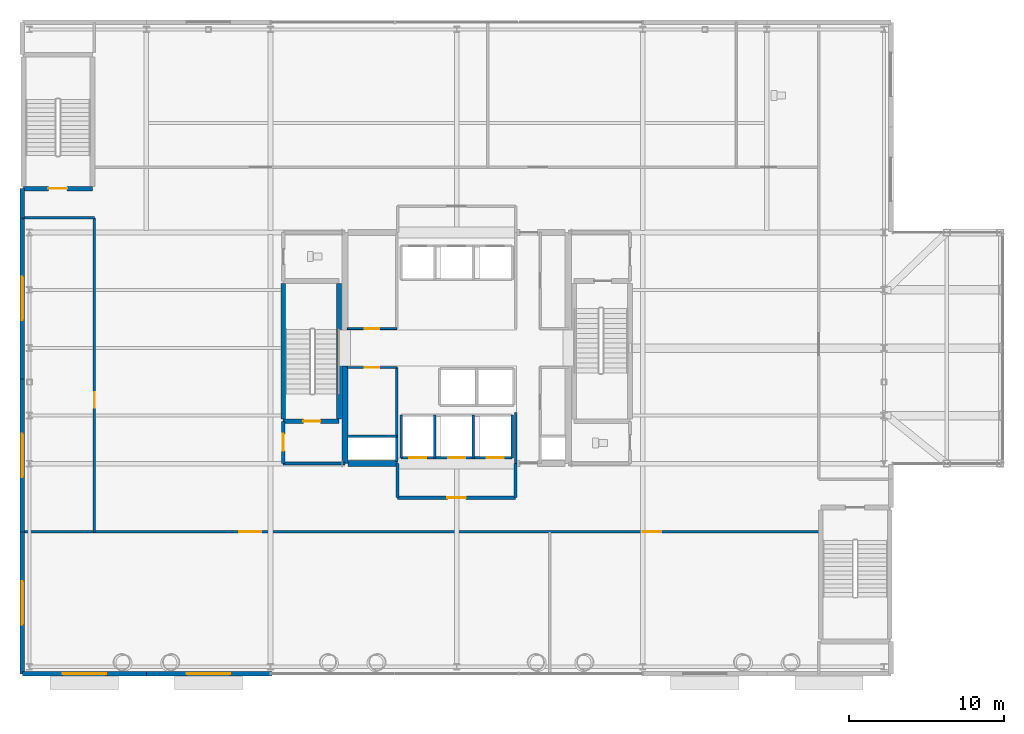
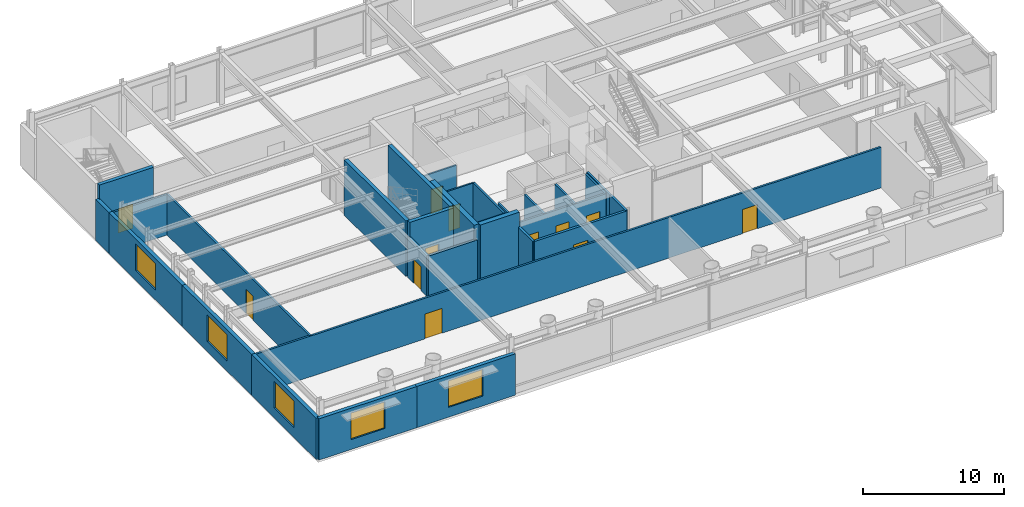
# One storey, part 19 of 26: 30 walls, 12 doors, 5 windows, 17 openings.
"""IFC4 building model written with IfcOpenShell, lengths in metres."""

import ifcopenshell
import ifcopenshell.guid

model = None  # the IFC model being written
_history = None  # IfcOwnerHistory: only IFC2X3 demands one
_inside = {}  # id of a spatial element -> (the spatial element, [elements in it])
_under = {}  # id of a project, library or spatial element -> (it, [spatial elements below it])
_declared = {}  # id of a project -> (the project, [libraries it declares])
_typed = {}  # id of a type object -> (the type object, [elements of that type])
_made_of = {}  # id of a material, layer set ... -> (it, [elements and type objects made of it])


def new_model(schema):
    """Start an empty IFC model of exactly this schema.

    Asked for "IFC4X3", IfcOpenShell would pick the latest addendum, in which some entities
    have other attributes; the version numbers below select the first issue.
    IFC2X3 requires an IfcOwnerHistory on every rooted entity: one is made here for all.
    """
    global model, _history
    if schema == "IFC4X3":
        model = ifcopenshell.file(schema_version=(4, 3, 0, 0))
    else:
        model = ifcopenshell.file(schema=schema)
    _inside.clear()
    _under.clear()
    _declared.clear()
    _typed.clear()
    _made_of.clear()
    _history = None
    if model.schema == "IFC2X3":
        org = make("IfcOrganization", Name="unknown")
        user = make(
            "IfcPersonAndOrganization",
            ThePerson=make("IfcPerson", FamilyName="unknown"),
            TheOrganization=org,
        )
        app = make(
            "IfcApplication",
            ApplicationDeveloper=org,
            Version="unknown",
            ApplicationFullName="unknown",
            ApplicationIdentifier="unknown",
        )
        _history = make(
            "IfcOwnerHistory",
            OwningUser=user,
            OwningApplication=app,
            ChangeAction="ADDED",
            CreationDate=0,
        )
    return model


def make(cls, **values):
    """One entity of the class cls with the attributes given. An attribute that is None is left unset."""
    return model.create_entity(
        cls, **{name: value for name, value in values.items() if value is not None}
    )


def rooted(cls, **values):
    """An entity with a GlobalId (a new one), such as an element, a storey or a relation."""
    return make(cls, GlobalId=ifcopenshell.guid.new(), OwnerHistory=_history, **values)


def si_unit(unit_type, name, prefix=None):
    """IfcSIUnit, for example si_unit("LENGTHUNIT", "METRE", prefix="MILLI")."""
    return make("IfcSIUnit", UnitType=unit_type, Prefix=prefix, Name=name)


def assignment(units):
    """IfcUnitAssignment: the units of a project."""
    return None if units is None else make("IfcUnitAssignment", Units=units)


def point(xyz):
    """IfcCartesianPoint."""
    return None if xyz is None else make("IfcCartesianPoint", Coordinates=xyz)


def direction(xyz):
    """IfcDirection."""
    return None if xyz is None else make("IfcDirection", DirectionRatios=xyz)


def frame(location, z_axis=None, x_axis=None):
    """IfcAxis2Placement3D, a coordinate frame: its origin and axes. An axis left out is left unset."""
    return make(
        "IfcAxis2Placement3D",
        Location=point(location),
        Axis=direction(z_axis),
        RefDirection=direction(x_axis),
    )


def frame_2d(location, x_axis=None):
    """IfcAxis2Placement2D, a coordinate frame in the plane: its origin and x axis."""
    return make(
        "IfcAxis2Placement2D", Location=point(location), RefDirection=direction(x_axis)
    )


def origin():
    """The frame at (0, 0, 0) with its axes left unset."""
    return frame((0.0, 0.0, 0.0))


def place(relative_to, where):
    """IfcLocalPlacement: puts the frame where relative to a parent placement (None: the world)."""
    return make(
        "IfcLocalPlacement", PlacementRelTo=relative_to, RelativePlacement=where
    )


def context(
    kind, dimensions, precision=None, world=None, true_north=None, identifier=None
):
    """IfcGeometricRepresentationContext, for example the 3D "Model" context."""
    return make(
        "IfcGeometricRepresentationContext",
        ContextIdentifier=identifier,
        ContextType=kind,
        CoordinateSpaceDimension=dimensions,
        Precision=precision,
        WorldCoordinateSystem=world,
        TrueNorth=true_north,
    )


def subcontext(parent, identifier, kind, view, scale=None):
    """IfcGeometricRepresentationSubContext, for example "Body" below "Model"."""
    return make(
        "IfcGeometricRepresentationSubContext",
        ContextIdentifier=identifier,
        ContextType=kind,
        ParentContext=parent,
        TargetScale=scale,
        TargetView=view,
    )


def project(units=None, contexts=None):
    """IfcProject with its units and contexts."""
    return rooted(
        "IfcProject",
        Name="project",
        RepresentationContexts=contexts,
        UnitsInContext=assignment(units),
    )


def spatial(cls, under=None, at=None, **own):
    """A site, building, storey or space (cls), placed at a placement, below another one or the project."""
    s = rooted(cls, ObjectPlacement=at, **own)
    if under is not None:
        _under.setdefault(under.id(), (under, []))[1].append(s)
    return s


def profile(cls, at=None, kind="AREA", **sizes):
    """A parametric profile (cls). Its sizes go by their IFC names, for example OverallWidth=200.0."""
    return make(cls, ProfileType=kind, Position=at, **sizes)


def rectangle(**sizes):
    """IfcRectangleProfileDef."""
    return profile("IfcRectangleProfileDef", **sizes)


def extrude(swept, where, along, depth):
    """IfcExtrudedAreaSolid: the profile swept, set in the frame where, extruded along a direction by depth."""
    return make(
        "IfcExtrudedAreaSolid",
        SweptArea=swept,
        Position=where,
        ExtrudedDirection=direction(along),
        Depth=depth,
    )


def shape(context_of_items, identifier, shape_type, items):
    """IfcShapeRepresentation: the items that make up one representation, for example the "Body"."""
    return make(
        "IfcShapeRepresentation",
        ContextOfItems=context_of_items,
        RepresentationIdentifier=identifier,
        RepresentationType=shape_type,
        Items=items,
    )


def material(Name=None, Category=None):
    """IfcMaterial."""
    return make("IfcMaterial", Name=Name, Category=Category)


def layer(
    of_material, thickness, ventilated=None, Name=None, Category=None, Priority=None
):
    """IfcMaterialLayer: one layer of a wall or slab, of a material (None: an air gap)."""
    return make(
        "IfcMaterialLayer",
        Material=of_material,
        LayerThickness=thickness,
        IsVentilated=ventilated,
        Name=Name,
        Category=Category,
        Priority=Priority,
    )


def layer_set(layers, Name=None):
    """IfcMaterialLayerSet."""
    return make("IfcMaterialLayerSet", MaterialLayers=layers, LayerSetName=Name)


def made_of(thing, what):
    """Note that an element or type object is made of a material, layer set ...; save() writes the relation."""
    if what is not None:
        _made_of.setdefault(what.id(), (what, []))[1].append(thing)
    return thing


def type_object(cls, material=None, **own):
    """A type object (cls), such as IfcWallType, which elements share."""
    return made_of(rooted(cls, **own), material)


def element(
    cls,
    number,
    at=None,
    inside=None,
    cuts=None,
    type_object=None,
    material=None,
    context=None,
    identifier="Body",
    shape_type=None,
    held_by="IfcProductDefinitionShape",
    body=None,
    shapes=None,
    **own,
):
    """One element of the class cls, such as IfcWall. Its Tag is "e" and its number.

    at: its placement. inside: the storey or other place that contains it. cuts: it is an
    opening in that element (IfcRelVoidsElement). A single representation is given by context,
    identifier, shape_type and body (its items); several are given by shapes. held_by: the class
    of the entity that holds the representations. save() writes the other relations.
    """
    e = rooted(cls, Tag="e%d" % number, ObjectPlacement=at, **own)
    if body is not None:
        shapes = [shape(context, identifier, shape_type, body)]
    if shapes is not None:
        e.Representation = make(held_by, Representations=shapes)
    if inside is not None:
        _inside.setdefault(inside.id(), (inside, []))[1].append(e)
    if cuts is not None:
        rooted(
            "IfcRelVoidsElement", RelatingBuildingElement=cuts, RelatedOpeningElement=e
        )
    if type_object is not None:
        _typed.setdefault(type_object.id(), (type_object, []))[1].append(e)
    return made_of(e, material)


def fill(opening, filler):
    """IfcRelFillsElement: the door or window that sits in an opening."""
    return rooted(
        "IfcRelFillsElement",
        RelatingOpeningElement=opening,
        RelatedBuildingElement=filler,
    )


def aggregate(whole, parts):
    """IfcRelAggregates: a whole, such as a stair, and the parts it consists of."""
    return rooted("IfcRelAggregates", RelatingObject=whole, RelatedObjects=parts)


def save(model, path):
    """Write the relations noted so far, then the file.

    IfcRelAggregates (storeys below a building ...), IfcRelContainedInSpatialStructure (elements
    in a storey), IfcRelDefinesByType, IfcRelAssociatesMaterial and IfcRelDeclares: one each for
    every whole, place, type object, material and project.
    """
    for whole, parts in _under.values():
        aggregate(whole, parts)
    for where, things in _inside.values():
        rooted(
            "IfcRelContainedInSpatialStructure",
            RelatedElements=things,
            RelatingStructure=where,
        )
    for kind, things in _typed.values():
        rooted("IfcRelDefinesByType", RelatedObjects=things, RelatingType=kind)
    for what, things in _made_of.values():
        rooted("IfcRelAssociatesMaterial", RelatedObjects=things, RelatingMaterial=what)
    for by, libraries in _declared.values():
        rooted("IfcRelDeclares", RelatingContext=by, RelatedDefinitions=libraries)
    model.write(path)


model = new_model("IFC4")

# Units and contexts
model_context = context("Model", 3, precision=1e-05, world=origin(), true_north=direction((0.0, 1.0)))
body_context = subcontext(model_context, "Body", "Model", "MODEL_VIEW")
ifc_project = project(units=[si_unit("LENGTHUNIT", "METRE"), si_unit("AREAUNIT", "SQUARE_METRE"), si_unit("VOLUMEUNIT", "CUBIC_METRE"), si_unit("PLANEANGLEUNIT", "RADIAN"), si_unit("MASSUNIT", "GRAM", prefix="KILO")], contexts=[model_context])

# Site, building, storey
site_placement = place(None, origin())
site = spatial("IfcSite", under=ifc_project, at=site_placement, CompositionType="ELEMENT")
building_placement = place(site_placement, origin())
building = spatial("IfcBuilding", under=site, at=building_placement, Name="Veldorina Hangang Commons", CompositionType="ELEMENT")
storey_placement = place(building_placement, frame((0.0, 0.0, 5.199951171875)))
storey = spatial("IfcBuildingStorey", under=building, at=storey_placement, Name="L01", CompositionType="ELEMENT", Elevation=5.199951171875)

# Walls
ifc_material_1 = material(Name="Concrete C70/85", Category="concrete")
ifc_layer_1 = layer(ifc_material_1, 0.39990234375)
ifc_layer_set_1 = layer_set([ifc_layer_1], Name="Concrete C70/85")
wall_type_1 = type_object("IfcWallType", Name="CW-RC400-C70", PredefinedType="SHEAR", material=ifc_layer_set_1)
wall_1_placement = place(storey_placement, frame((24.800048828125, 16.550048828125, 0.0), z_axis=(0.0, 0.0, 1.0), x_axis=(0.0, 1.0, 0.0)))
element("IfcWall", 1, at=wall_1_placement, inside=storey, type_object=wall_type_1, Name="L01 W south core shear wall", PredefinedType="SHEAR", context=body_context, shape_type="SweptSolid", body=[
    extrude(rectangle(XDim=6.300048828125, YDim=0.39990234375, at=frame_2d((3.14990234375, 0.0))), origin(), (0.0, 0.0, 1.0), 4.800048828125),
])
wall_2_placement = place(storey_placement, frame((25.0, 16.550048828125, 0.0), z_axis=(0.0, 0.0, 1.0), x_axis=(1.0, 0.0, 0.0)))
element("IfcWall", 2, at=wall_2_placement, inside=storey, type_object=wall_type_1, Name="L01 south-west core shear wall", PredefinedType="SHEAR", context=body_context, shape_type="SweptSolid", body=[
    extrude(rectangle(XDim=3.199951171875, YDim=0.39990234375, at=frame_2d((1.60009765625, 0.0))), origin(), (0.0, 0.0, 1.0), 4.800048828125),
])

# Wall, opening, window
ifc_material_2 = material(Name="Stone Roman Travertine", Category="masonry")
ifc_layer_2 = layer(ifc_material_2, 0.300048828125)
ifc_layer_set_2 = layer_set([ifc_layer_2], Name="Stone Roman Travertine")
wall_type_2 = type_object("IfcWallType", Name="EW-TRAV-300", PredefinedType="STANDARD", material=ifc_layer_set_2)
wall_3_placement = place(storey_placement, frame((4.0, 3.0, 0.0), z_axis=(0.0, 0.0, 1.0), x_axis=(1.0, 0.0, 0.0)))
wall_3 = element("IfcWall", 3, at=wall_3_placement, inside=storey, type_object=wall_type_2, Name="L01 south podium stone wall S1", PredefinedType="STANDARD", context=body_context, shape_type="SweptSolid", body=[
    extrude(rectangle(XDim=8.0, YDim=0.300048828125, at=frame_2d((4.0, 0.0))), origin(), (0.0, 0.0, 1.0), 3.570068359375),
])
opening_1_placement = place(wall_3_placement, frame((2.60009765625, 0.0, 0.85009765625)))
opening_1 = element("IfcOpeningElement", 4, at=opening_1_placement, cuts=wall_3, Name="Opening W-06", PredefinedType="OPENING", context=body_context, shape_type="SweptSolid", body=[
    extrude(rectangle(XDim=2.800048828125, YDim=2.300048828125, at=frame_2d((1.39990234375, 1.14990234375))), frame((0.0, 0.16015625, 0.0), z_axis=(0.0, -1.0, 0.0), x_axis=(1.0, 0.0, 0.0)), (0.0, 0.0, 1.0), 0.320068359375),
])
ifc_material_3 = material(Name="Glass Acoustic Laminated", Category="glass")
window_type = type_object("IfcWindowType", Name="WIN-POD-2800", PartitioningType="SINGLE_PANEL", PredefinedType="WINDOW", material=ifc_material_3)
window_1_placement = place(opening_1_placement, origin())
window_1 = element("IfcWindow", 5, at=window_1_placement, inside=storey, type_object=window_type, Name="L01 south podium window S1", OverallHeight=2.300048828125, OverallWidth=2.800048828125, PartitioningType="SINGLE_PANEL", PredefinedType="WINDOW", context=body_context, shape_type="SweptSolid", body=[
    extrude(rectangle(XDim=2.800048828125, YDim=2.300048828125, at=frame_2d((1.39990234375, 1.14990234375))), frame((0.0, 0.030029296875, 0.0), z_axis=(0.0, -1.0, 0.0), x_axis=(1.0, 0.0, 0.0)), (0.0, 0.0, 1.0), 0.06005859375),
])
fill(opening_1, window_1)

wall_4_placement = place(storey_placement, frame((12.0, 3.0, 0.0), z_axis=(0.0, 0.0, 1.0), x_axis=(1.0, 0.0, 0.0)))
wall_4 = element("IfcWall", 6, at=wall_4_placement, inside=storey, type_object=wall_type_2, Name="L01 south podium stone wall S2", PredefinedType="STANDARD", context=body_context, shape_type="SweptSolid", body=[
    extrude(rectangle(XDim=8.094970703125, YDim=0.300048828125, at=frame_2d((4.04736328125, 0.0))), origin(), (0.0, 0.0, 1.0), 3.570068359375),
])
opening_2_placement = place(wall_4_placement, frame((2.60009765625, 0.0, 0.85009765625)))
opening_2 = element("IfcOpeningElement", 7, at=opening_2_placement, cuts=wall_4, Name="Opening W-06", PredefinedType="OPENING", context=body_context, shape_type="SweptSolid", body=[
    extrude(rectangle(XDim=2.800048828125, YDim=2.300048828125, at=frame_2d((1.39990234375, 1.14990234375))), frame((0.0, 0.16015625, 0.0), z_axis=(0.0, -1.0, 0.0), x_axis=(1.0, 0.0, 0.0)), (0.0, 0.0, 1.0), 0.320068359375),
])
window_2_placement = place(opening_2_placement, origin())
window_2 = element("IfcWindow", 8, at=window_2_placement, inside=storey, type_object=window_type, Name="L01 south podium window S2", OverallHeight=2.300048828125, OverallWidth=2.800048828125, PartitioningType="SINGLE_PANEL", PredefinedType="WINDOW", context=body_context, shape_type="SweptSolid", body=[
    extrude(rectangle(XDim=2.800048828125, YDim=2.300048828125, at=frame_2d((1.39990234375, 1.14990234375))), frame((0.0, 0.030029296875, 0.0), z_axis=(0.0, -1.0, 0.0), x_axis=(1.0, 0.0, 0.0)), (0.0, 0.0, 1.0), 0.06005859375),
])
fill(opening_2, window_2)

wall_5_placement = place(storey_placement, frame((4.0, 12.14990234375, 0.0), z_axis=(0.0, 0.0, 1.0), x_axis=(0.0, -1.0, 0.0)))
wall_5 = element("IfcWall", 9, at=wall_5_placement, inside=storey, type_object=wall_type_2, Name="L01 west podium stone wall W1", PredefinedType="STANDARD", context=body_context, shape_type="SweptSolid", body=[
    extrude(rectangle(XDim=9.14990234375, YDim=0.300048828125, at=frame_2d((4.574951171875, 0.0))), origin(), (0.0, 0.0, 1.0), 3.570068359375),
])
opening_3_placement = place(wall_5_placement, frame((3.175048828125, 0.0, 0.85009765625)))
opening_3 = element("IfcOpeningElement", 10, at=opening_3_placement, cuts=wall_5, Name="Opening W-06", PredefinedType="OPENING", context=body_context, shape_type="SweptSolid", body=[
    extrude(rectangle(XDim=2.800048828125, YDim=2.300048828125, at=frame_2d((1.39990234375, 1.14990234375))), frame((0.0, 0.16015625, 0.0), z_axis=(0.0, -1.0, 0.0), x_axis=(1.0, 0.0, 0.0)), (0.0, 0.0, 1.0), 0.320068359375),
])
window_3_placement = place(opening_3_placement, origin())
window_3 = element("IfcWindow", 11, at=window_3_placement, inside=storey, type_object=window_type, Name="L01 west podium window W1", OverallHeight=2.300048828125, OverallWidth=2.800048828125, PartitioningType="SINGLE_PANEL", PredefinedType="WINDOW", context=body_context, shape_type="SweptSolid", body=[
    extrude(rectangle(XDim=2.800048828125, YDim=2.300048828125, at=frame_2d((1.39990234375, 1.14990234375))), frame((0.0, 0.030029296875, 0.0), z_axis=(0.0, -1.0, 0.0), x_axis=(1.0, 0.0, 0.0)), (0.0, 0.0, 1.0), 0.06005859375),
])
fill(opening_3, window_3)

wall_6_placement = place(storey_placement, frame((4.0, 22.0, 0.0), z_axis=(0.0, 0.0, 1.0), x_axis=(0.0, -1.0, 0.0)))
wall_6 = element("IfcWall", 12, at=wall_6_placement, inside=storey, type_object=wall_type_2, Name="L01 west podium stone wall W2", PredefinedType="STANDARD", context=body_context, shape_type="SweptSolid", body=[
    extrude(rectangle(XDim=9.85009765625, YDim=0.300048828125, at=frame_2d((4.925048828125, 0.0))), origin(), (0.0, 0.0, 1.0), 3.570068359375),
])
opening_4_placement = place(wall_6_placement, frame((3.52490234375, 0.0, 0.85009765625)))
opening_4 = element("IfcOpeningElement", 13, at=opening_4_placement, cuts=wall_6, Name="Opening W-06", PredefinedType="OPENING", context=body_context, shape_type="SweptSolid", body=[
    extrude(rectangle(XDim=2.800048828125, YDim=2.300048828125, at=frame_2d((1.39990234375, 1.14990234375))), frame((0.0, 0.16015625, 0.0), z_axis=(0.0, -1.0, 0.0), x_axis=(1.0, 0.0, 0.0)), (0.0, 0.0, 1.0), 0.320068359375),
])
window_4_placement = place(opening_4_placement, origin())
window_4 = element("IfcWindow", 14, at=window_4_placement, inside=storey, type_object=window_type, Name="L01 west podium window W2", OverallHeight=2.300048828125, OverallWidth=2.800048828125, PartitioningType="SINGLE_PANEL", PredefinedType="WINDOW", context=body_context, shape_type="SweptSolid", body=[
    extrude(rectangle(XDim=2.800048828125, YDim=2.300048828125, at=frame_2d((1.39990234375, 1.14990234375))), frame((0.0, 0.030029296875, 0.0), z_axis=(0.0, -1.0, 0.0), x_axis=(1.0, 0.0, 0.0)), (0.0, 0.0, 1.0), 0.06005859375),
])
fill(opening_4, window_4)

wall_7_placement = place(storey_placement, frame((4.0, 32.39990234375, 0.0), z_axis=(0.0, 0.0, 1.0), x_axis=(0.0, -1.0, 0.0)))
wall_7 = element("IfcWall", 15, at=wall_7_placement, inside=storey, type_object=wall_type_2, Name="L01 west podium stone wall W3", PredefinedType="STANDARD", context=body_context, shape_type="SweptSolid", body=[
    extrude(rectangle(XDim=10.39990234375, YDim=0.300048828125, at=frame_2d((5.199951171875, 0.0))), origin(), (0.0, 0.0, 1.0), 3.570068359375),
])
opening_5_placement = place(wall_7_placement, frame((3.800048828125, 0.0, 0.85009765625)))
opening_5 = element("IfcOpeningElement", 16, at=opening_5_placement, cuts=wall_7, Name="Opening W-06", PredefinedType="OPENING", context=body_context, shape_type="SweptSolid", body=[
    extrude(rectangle(XDim=2.800048828125, YDim=2.300048828125, at=frame_2d((1.39990234375, 1.14990234375))), frame((0.0, 0.16015625, 0.0), z_axis=(0.0, -1.0, 0.0), x_axis=(1.0, 0.0, 0.0)), (0.0, 0.0, 1.0), 0.320068359375),
])
window_5_placement = place(opening_5_placement, origin())
window_5 = element("IfcWindow", 17, at=window_5_placement, inside=storey, type_object=window_type, Name="L01 west podium window W3", OverallHeight=2.300048828125, OverallWidth=2.800048828125, PartitioningType="SINGLE_PANEL", PredefinedType="WINDOW", context=body_context, shape_type="SweptSolid", body=[
    extrude(rectangle(XDim=2.800048828125, YDim=2.300048828125, at=frame_2d((1.39990234375, 1.14990234375))), frame((0.0, 0.030029296875, 0.0), z_axis=(0.0, -1.0, 0.0), x_axis=(1.0, 0.0, 0.0)), (0.0, 0.0, 1.0), 0.06005859375),
])
fill(opening_5, window_5)

# Walls
wall_8_placement = place(storey_placement, frame((4.0, 34.280029296875, 0.0), z_axis=(0.0, 0.0, 1.0), x_axis=(0.0, -1.0, 0.0)))
element("IfcWall", 18, at=wall_8_placement, inside=storey, type_object=wall_type_2, Name="L01 west podium stone wall W4", PredefinedType="STANDARD", context=body_context, shape_type="SweptSolid", body=[
    extrude(rectangle(XDim=1.880126953125, YDim=0.300048828125, at=frame_2d((0.93994140625, 0.0))), origin(), (0.0, 0.0, 1.0), 3.570068359375),
])
ifc_material_4 = material(Name="Concrete C50/60", Category="concrete")
ifc_layer_3 = layer(ifc_material_4, 0.300048828125)
ifc_layer_set_3 = layer_set([ifc_layer_3], Name="Concrete C50/60")
wall_type_3 = type_object("IfcWallType", Name="SW-STAIR-300", PredefinedType="SHEAR", material=ifc_layer_set_3)
for number, where, z_axis, x_axis, name in (
    (19, (20.820068359375, 19.429931640625, 0.0), (0.0, 0.0, 1.0), (0.0, 1.0, 0.0), "L01 ST1 outer stair shear wall"),
    (20, (24.419921875, 19.429931640625, 0.0), (0.0, 0.0, 1.0), (0.0, 1.0, 0.0), "L01 ST1 inner stair shear wall"),
):
    element("IfcWall", number, at=place(storey_placement, frame(where, z_axis=z_axis, x_axis=x_axis)), inside=storey, type_object=wall_type_3, Name=name, PredefinedType="SHEAR", context=body_context, shape_type="SweptSolid", body=[
        extrude(rectangle(XDim=8.739990234375, YDim=0.300048828125, at=frame_2d((4.3701171875, 0.0))), origin(), (0.0, 0.0, 1.0), 4.800048828125),
    ])

# Wall, opening, door
wall_9_placement = place(storey_placement, frame((20.820068359375, 19.280029296875, 0.0), z_axis=(0.0, 0.0, 1.0), x_axis=(1.0, 0.0, 0.0)))
wall_9 = element("IfcWall", 21, at=wall_9_placement, inside=storey, type_object=wall_type_3, Name="L01 ST1 south stair shear wall", PredefinedType="SHEAR", context=body_context, shape_type="SweptSolid", body=[
    extrude(rectangle(XDim=3.599853515625, YDim=0.300048828125, at=frame_2d((1.7998046875, 0.0))), origin(), (0.0, 0.0, 1.0), 4.800048828125),
])
opening_6_placement = place(wall_9_placement, frame((1.300048828125, 0.0, 0.0)))
opening_6 = element("IfcOpeningElement", 22, at=opening_6_placement, cuts=wall_9, Name="Opening D-08", PredefinedType="OPENING", context=body_context, shape_type="SweptSolid", body=[
    extrude(rectangle(XDim=1.10009765625, YDim=2.10009765625, at=frame_2d((0.550048828125, 1.050048828125))), frame((0.0, 0.16015625, 0.0), z_axis=(0.0, -1.0, 0.0), x_axis=(1.0, 0.0, 0.0)), (0.0, 0.0, 1.0), 0.320068359375),
])
ifc_material_5 = material(Name="Steel Fire-Rated Smoke Seal", Category="steel")
door_type_1 = type_object("IfcDoorType", Name="DR-FIRE-1100", OperationType="SINGLE_SWING_RIGHT", PredefinedType="DOOR", material=ifc_material_5)
door_1_placement = place(opening_6_placement, origin())
door_1 = element("IfcDoor", 23, at=door_1_placement, inside=storey, type_object=door_type_1, Name="L01 Special Escape Stair ST-1 door", OperationType="SINGLE_SWING_LEFT", OverallHeight=2.10009765625, OverallWidth=1.10009765625, PredefinedType="DOOR", context=body_context, shape_type="SweptSolid", body=[
    extrude(rectangle(XDim=1.10009765625, YDim=2.10009765625, at=frame_2d((0.550048828125, 1.050048828125))), frame((0.0, 0.02490234375, 0.0), z_axis=(0.0, -1.0, 0.0), x_axis=(1.0, 0.0, 0.0)), (0.0, 0.0, 1.0), 0.050048828125),
])
fill(opening_6, door_1)

wall_10_placement = place(storey_placement, frame((4.080078125, 34.280029296875, 0.0), z_axis=(0.0, 0.0, 1.0), x_axis=(1.0, 0.0, 0.0)))
wall_10 = element("IfcWall", 24, at=wall_10_placement, inside=storey, type_object=wall_type_3, Name="L01 STP1 S stair shear wall", PredefinedType="SHEAR", context=body_context, shape_type="SweptSolid", body=[
    extrude(rectangle(XDim=4.43994140625, YDim=0.300048828125, at=frame_2d((2.219970703125, 0.0))), origin(), (0.0, 0.0, 1.0), 4.800048828125),
])
opening_7_placement = place(wall_10_placement, frame((1.60009765625, 0.0, 0.0)))
opening_7 = element("IfcOpeningElement", 25, at=opening_7_placement, cuts=wall_10, Name="Opening D-09", PredefinedType="OPENING", context=body_context, shape_type="SweptSolid", body=[
    extrude(rectangle(XDim=1.199951171875, YDim=2.10009765625, at=frame_2d((0.60009765625, 1.050048828125))), frame((0.0, 0.16015625, 0.0), z_axis=(0.0, -1.0, 0.0), x_axis=(1.0, 0.0, 0.0)), (0.0, 0.0, 1.0), 0.320068359375),
])
ifc_material_6 = material(Name="Steel Fire-Rated Corridor Door", Category="steel")
door_type_2 = type_object("IfcDoorType", Name="DR-FIRE-1200", OperationType="SINGLE_SWING_LEFT", PredefinedType="DOOR", material=ifc_material_6)
door_2_placement = place(opening_7_placement, origin())
door_2 = element("IfcDoor", 26, at=door_2_placement, inside=storey, type_object=door_type_2, Name="L01 Podium Stair ST-P1 door", OperationType="SINGLE_SWING_LEFT", OverallHeight=2.10009765625, OverallWidth=1.199951171875, PredefinedType="DOOR", context=body_context, shape_type="SweptSolid", body=[
    extrude(rectangle(XDim=1.199951171875, YDim=2.10009765625, at=frame_2d((0.60009765625, 1.050048828125))), frame((0.0, 0.02490234375, 0.0), z_axis=(0.0, -1.0, 0.0), x_axis=(1.0, 0.0, 0.0)), (0.0, 0.0, 1.0), 0.050048828125),
])
fill(opening_7, door_2)

# Wall
ifc_material_7 = material(Name="Gypsum Fire-Rated Twin Stud Wall", Category="gypsum")
ifc_layer_4 = layer(ifc_material_7, 0.159912109375)
ifc_layer_set_4 = layer_set([ifc_layer_4], Name="Gypsum Fire-Rated Twin Stud Wall")
wall_type_4 = type_object("IfcWallType", Name="WL-FIRE-160", PredefinedType="SOLIDWALL", material=ifc_layer_set_4)
wall_11_placement = place(storey_placement, frame((35.800048828125, 16.550048828125, 0.0), z_axis=(0.0, 0.0, 1.0), x_axis=(0.0, 1.0, 0.0)))
element("IfcWall", 27, at=wall_11_placement, inside=storey, type_object=wall_type_4, Name="L01 Lift passage SW wall 009", PredefinedType="SOLIDWALL", context=body_context, shape_type="SweptSolid", body=[
    extrude(rectangle(XDim=3.300048828125, YDim=0.159912109375, at=frame_2d((1.64990234375, 0.0))), origin(), (0.0, 0.0, 1.0), 3.52001953125),
])

# Wall, openings, doors
wall_12_placement = place(storey_placement, frame((28.419921875, 16.919921875, 0.0), z_axis=(0.0, 0.0, 1.0), x_axis=(1.0, 0.0, 0.0)))
wall_12 = element("IfcWall", 28, at=wall_12_placement, inside=storey, type_object=wall_type_4, Name="L01 Emergency front shaft wall 026", PredefinedType="SOLIDWALL", context=body_context, shape_type="SweptSolid", body=[
    extrude(rectangle(XDim=7.16015625, YDim=0.159912109375, at=frame_2d((3.580078125, 0.0))), origin(), (0.0, 0.0, 1.0), 3.52001953125),
])
opening_8_placement = place(wall_12_placement, frame((0.530029296875, 0.0, 0.0)))
opening_8 = element("IfcOpeningElement", 29, at=opening_8_placement, cuts=wall_12, Name="Opening LD-03", PredefinedType="OPENING", context=body_context, shape_type="SweptSolid", body=[
    extrude(rectangle(XDim=1.10009765625, YDim=2.14990234375, at=frame_2d((0.550048828125, 1.074951171875))), frame((0.0, 0.08984375, 0.0), z_axis=(0.0, -1.0, 0.0), x_axis=(1.0, 0.0, 0.0)), (0.0, 0.0, 1.0), 0.179931640625),
])
opening_9_placement = place(wall_12_placement, frame((3.030029296875, 0.0, 0.0)))
opening_9 = element("IfcOpeningElement", 30, at=opening_9_placement, cuts=wall_12, Name="Opening LD-03", PredefinedType="OPENING", context=body_context, shape_type="SweptSolid", body=[
    extrude(rectangle(XDim=1.10009765625, YDim=2.14990234375, at=frame_2d((0.550048828125, 1.074951171875))), frame((0.0, 0.08984375, 0.0), z_axis=(0.0, -1.0, 0.0), x_axis=(1.0, 0.0, 0.0)), (0.0, 0.0, 1.0), 0.179931640625),
])
opening_10_placement = place(wall_12_placement, frame((5.530029296875, 0.0, 0.0)))
opening_10 = element("IfcOpeningElement", 31, at=opening_10_placement, cuts=wall_12, Name="Opening LD-03", PredefinedType="OPENING", context=body_context, shape_type="SweptSolid", body=[
    extrude(rectangle(XDim=1.10009765625, YDim=2.14990234375, at=frame_2d((0.550048828125, 1.074951171875))), frame((0.0, 0.08984375, 0.0), z_axis=(0.0, -1.0, 0.0), x_axis=(1.0, 0.0, 0.0)), (0.0, 0.0, 1.0), 0.179931640625),
])
ifc_material_8 = material(Name="Stainless Steel Firefighting Lift Door", Category="steel")
door_type_3 = type_object("IfcDoorType", Name="DR-LIFT-FF1100", OperationType="SLIDING_TO_RIGHT", PredefinedType="DOOR", material=ifc_material_8)
door_3_placement = place(opening_8_placement, origin())
door_3 = element("IfcDoor", 32, at=door_3_placement, inside=storey, type_object=door_type_3, Name="L01 Emergency lift FFL-1 landing door 009", OperationType="SLIDING_TO_RIGHT", OverallHeight=2.14990234375, OverallWidth=1.10009765625, PredefinedType="DOOR", context=body_context, shape_type="SweptSolid", body=[
    extrude(rectangle(XDim=1.10009765625, YDim=2.14990234375, at=frame_2d((0.550048828125, 1.074951171875))), frame((0.0, 0.02490234375, 0.0), z_axis=(0.0, -1.0, 0.0), x_axis=(1.0, 0.0, 0.0)), (0.0, 0.0, 1.0), 0.050048828125),
])
fill(opening_8, door_3)
door_4_placement = place(opening_9_placement, origin())
door_4 = element("IfcDoor", 33, at=door_4_placement, inside=storey, type_object=door_type_3, Name="L01 Emergency lift FFL-2 landing door 010", OperationType="SLIDING_TO_RIGHT", OverallHeight=2.14990234375, OverallWidth=1.10009765625, PredefinedType="DOOR", context=body_context, shape_type="SweptSolid", body=[
    extrude(rectangle(XDim=1.10009765625, YDim=2.14990234375, at=frame_2d((0.550048828125, 1.074951171875))), frame((0.0, 0.02490234375, 0.0), z_axis=(0.0, -1.0, 0.0), x_axis=(1.0, 0.0, 0.0)), (0.0, 0.0, 1.0), 0.050048828125),
])
fill(opening_9, door_4)
door_5_placement = place(opening_10_placement, origin())
door_5 = element("IfcDoor", 34, at=door_5_placement, inside=storey, type_object=door_type_3, Name="L01 Emergency lift EVL-1 landing door 011", OperationType="SLIDING_TO_RIGHT", OverallHeight=2.14990234375, OverallWidth=1.10009765625, PredefinedType="DOOR", context=body_context, shape_type="SweptSolid", body=[
    extrude(rectangle(XDim=1.10009765625, YDim=2.14990234375, at=frame_2d((0.550048828125, 1.074951171875))), frame((0.0, 0.02490234375, 0.0), z_axis=(0.0, -1.0, 0.0), x_axis=(1.0, 0.0, 0.0)), (0.0, 0.0, 1.0), 0.050048828125),
])
fill(opening_10, door_5)

# Walls
for number, where, z_axis, x_axis, name in (
    (35, (28.419921875, 16.919921875, 0.0), (0.0, 0.0, 1.0), (0.0, 1.0, 0.0), "L01 FFL-1 west shaft wall 028"),
    (36, (30.580078125, 16.919921875, 0.0), (0.0, 0.0, 1.0), (0.0, 1.0, 0.0), "L01 FFL-1 east shaft wall 029"),
    (37, (33.080078125, 16.919921875, 0.0), (0.0, 0.0, 1.0), (0.0, 1.0, 0.0), "L01 FFL-2 east shaft wall 030"),
    (38, (35.580078125, 16.919921875, 0.0), (0.0, 0.0, 1.0), (0.0, 1.0, 0.0), "L01 EVL-1 east shaft wall 031"),
):
    element("IfcWall", number, at=place(storey_placement, frame(where, z_axis=z_axis, x_axis=x_axis)), inside=storey, type_object=wall_type_4, Name=name, PredefinedType="SOLIDWALL", context=body_context, shape_type="SweptSolid", body=[
        extrude(rectangle(XDim=2.760009765625, YDim=0.159912109375, at=frame_2d((1.3798828125, 0.0))), origin(), (0.0, 0.0, 1.0), 3.52001953125),
    ])
wall_13_placement = place(storey_placement, frame((24.949951171875, 18.300048828125, 0.0), z_axis=(0.0, 0.0, 1.0), x_axis=(1.0, 0.0, 0.0)))
element("IfcWall", 39, at=wall_13_placement, inside=storey, type_object=wall_type_4, Name="L01 Electrical riser wall 035", PredefinedType="SOLIDWALL", context=body_context, shape_type="SweptSolid", body=[
    extrude(rectangle(XDim=3.199951171875, YDim=0.159912109375, at=frame_2d((1.60009765625, 0.0))), origin(), (0.0, 0.0, 1.0), 3.52001953125),
])
wall_14_placement = place(storey_placement, frame((28.14990234375, 16.699951171875, 0.0), z_axis=(0.0, 0.0, 1.0), x_axis=(0.0, 1.0, 0.0)))
element("IfcWall", 40, at=wall_14_placement, inside=storey, type_object=wall_type_4, Name="L01 SW core inner wall 036", PredefinedType="SOLIDWALL", context=body_context, shape_type="SweptSolid", body=[
    extrude(rectangle(XDim=6.050048828125, YDim=0.159912109375, at=frame_2d((3.02490234375, 0.0))), origin(), (0.0, 0.0, 1.0), 3.52001953125),
])

# Wall, openings, doors
wall_15_placement = place(storey_placement, frame((4.0, 12.14990234375, 0.0), z_axis=(0.0, 0.0, 1.0), x_axis=(1.0, 0.0, 0.0)))
wall_15 = element("IfcWall", 41, at=wall_15_placement, inside=storey, type_object=wall_type_4, Name="L01 L01 gallery south wall 046", PredefinedType="SOLIDWALL", context=body_context, shape_type="SweptSolid", body=[
    extrude(rectangle(XDim=51.35009765625, YDim=0.159912109375, at=frame_2d((25.675048828125, 0.0))), origin(), (0.0, 0.0, 1.0), 3.52001953125),
])
opening_11_placement = place(wall_15_placement, frame((14.0, 0.0, 0.0)))
opening_11 = element("IfcOpeningElement", 42, at=opening_11_placement, cuts=wall_15, Name="Opening D-11", PredefinedType="OPENING", context=body_context, shape_type="SweptSolid", body=[
    extrude(rectangle(XDim=1.39990234375, YDim=2.14990234375, at=frame_2d((0.699951171875, 1.074951171875))), frame((0.0, 0.08984375, 0.0), z_axis=(0.0, -1.0, 0.0), x_axis=(1.0, 0.0, 0.0)), (0.0, 0.0, 1.0), 0.179931640625),
])
opening_12_placement = place(wall_15_placement, frame((40.0, 0.0, 0.0)))
opening_12 = element("IfcOpeningElement", 43, at=opening_12_placement, cuts=wall_15, Name="Opening D-09", PredefinedType="OPENING", context=body_context, shape_type="SweptSolid", body=[
    extrude(rectangle(XDim=1.199951171875, YDim=2.10009765625, at=frame_2d((0.60009765625, 1.050048828125))), frame((0.0, 0.08984375, 0.0), z_axis=(0.0, -1.0, 0.0), x_axis=(1.0, 0.0, 0.0)), (0.0, 0.0, 1.0), 0.179931640625),
])
door_6_placement = place(opening_12_placement, origin())
door_6 = element("IfcDoor", 44, at=door_6_placement, inside=storey, type_object=door_type_2, Name="L01 Commercial kitchen door 019", OperationType="SINGLE_SWING_LEFT", OverallHeight=2.10009765625, OverallWidth=1.199951171875, PredefinedType="DOOR", context=body_context, shape_type="SweptSolid", body=[
    extrude(rectangle(XDim=1.199951171875, YDim=2.10009765625, at=frame_2d((0.60009765625, 1.050048828125))), frame((0.0, 0.02490234375, 0.0), z_axis=(0.0, -1.0, 0.0), x_axis=(1.0, 0.0, 0.0)), (0.0, 0.0, 1.0), 0.050048828125),
])
fill(opening_12, door_6)
ifc_material_9 = material(Name="Steel Glazed Fire Assembly Door", Category="steel")
door_type_4 = type_object("IfcDoorType", Name="DR-FIRE-1400", OperationType="DOUBLE_SWING_LEFT", PredefinedType="DOOR", material=ifc_material_9)
door_7_placement = place(opening_11_placement, origin())
door_7 = element("IfcDoor", 45, at=door_7_placement, inside=storey, type_object=door_type_4, Name="L01 Refectory dining door 018", OperationType="SINGLE_SWING_RIGHT", OverallHeight=2.14990234375, OverallWidth=1.39990234375, PredefinedType="DOOR", context=body_context, shape_type="SweptSolid", body=[
    extrude(rectangle(XDim=1.39990234375, YDim=2.14990234375, at=frame_2d((0.699951171875, 1.074951171875))), frame((0.0, 0.02490234375, 0.0), z_axis=(0.0, -1.0, 0.0), x_axis=(1.0, 0.0, 0.0)), (0.0, 0.0, 1.0), 0.050048828125),
])
fill(opening_11, door_7)

# Wall, opening, door
wall_16_placement = place(storey_placement, frame((8.64990234375, 12.14990234375, 0.0), z_axis=(0.0, 0.0, 1.0), x_axis=(0.0, 1.0, 0.0)))
wall_16 = element("IfcWall", 46, at=wall_16_placement, inside=storey, type_object=wall_type_4, Name="L01 L01 gallery west wall 047", PredefinedType="SOLIDWALL", context=body_context, shape_type="SweptSolid", body=[
    extrude(rectangle(XDim=20.25, YDim=0.159912109375, at=frame_2d((10.125, 0.0))), origin(), (0.0, 0.0, 1.0), 3.52001953125),
])
opening_13_placement = place(wall_16_placement, frame((8.0, 0.0, 0.0)))
opening_13 = element("IfcOpeningElement", 47, at=opening_13_placement, cuts=wall_16, Name="Opening D-05", PredefinedType="OPENING", context=body_context, shape_type="SweptSolid", body=[
    extrude(rectangle(XDim=1.0, YDim=2.10009765625, at=frame_2d((0.5, 1.050048828125))), frame((0.0, 0.08984375, 0.0), z_axis=(0.0, -1.0, 0.0), x_axis=(1.0, 0.0, 0.0)), (0.0, 0.0, 1.0), 0.179931640625),
])
ifc_material_10 = material(Name="Timber Solid Core Acoustic", Category="wood")
door_type_5 = type_object("IfcDoorType", Name="DR-INT-1000", OperationType="SINGLE_SWING_RIGHT", PredefinedType="DOOR", material=ifc_material_10)
door_8_placement = place(opening_13_placement, origin())
door_8 = element("IfcDoor", 48, at=door_8_placement, inside=storey, type_object=door_type_5, Name="L01 Music club room door 023", OperationType="SINGLE_SWING_LEFT", OverallHeight=2.10009765625, OverallWidth=1.0, PredefinedType="DOOR", context=body_context, shape_type="SweptSolid", body=[
    extrude(rectangle(XDim=1.0, YDim=2.10009765625, at=frame_2d((0.5, 1.050048828125))), frame((0.0, 0.02490234375, 0.0), z_axis=(0.0, -1.0, 0.0), x_axis=(1.0, 0.0, 0.0)), (0.0, 0.0, 1.0), 0.050048828125),
])
fill(opening_13, door_8)

# Wall
wall_17_placement = place(storey_placement, frame((4.0, 32.39990234375, 0.0), z_axis=(0.0, 0.0, 1.0), x_axis=(1.0, 0.0, 0.0)))
element("IfcWall", 49, at=wall_17_placement, inside=storey, type_object=wall_type_4, Name="L01 L01 west room north wall 048", PredefinedType="SOLIDWALL", context=body_context, shape_type="SweptSolid", body=[
    extrude(rectangle(XDim=4.64990234375, YDim=0.159912109375, at=frame_2d((2.324951171875, 0.0))), origin(), (0.0, 0.0, 1.0), 3.52001953125),
])

# Wall, opening, door
ifc_material_11 = material(Name="Concrete Blockwork Fire Wall C30/37", Category="masonry")
ifc_layer_5 = layer(ifc_material_11, 0.199951171875)
ifc_layer_set_5 = layer_set([ifc_layer_5], Name="Concrete Blockwork Fire Wall C30/37")
wall_type_5 = type_object("IfcWallType", Name="WL-FIRE-200", PredefinedType="SOLIDWALL", material=ifc_layer_set_5)
wall_18_placement = place(storey_placement, frame((20.820068359375, 16.550048828125, 0.0), z_axis=(0.0, 0.0, 1.0), x_axis=(0.0, 1.0, 0.0)))
wall_18 = element("IfcWall", 50, at=wall_18_placement, inside=storey, type_object=wall_type_5, Name="L01 West vestibule outer wall 001", PredefinedType="SOLIDWALL", context=body_context, shape_type="SweptSolid", body=[
    extrude(rectangle(XDim=2.72998046875, YDim=0.199951171875, at=frame_2d((1.364990234375, 0.0))), origin(), (0.0, 0.0, 1.0), 3.52001953125),
])
opening_14_placement = place(wall_18_placement, frame((0.81494140625, 0.0, 0.0)))
opening_14 = element("IfcOpeningElement", 51, at=opening_14_placement, cuts=wall_18, Name="Opening D-08", PredefinedType="OPENING", context=body_context, shape_type="SweptSolid", body=[
    extrude(rectangle(XDim=1.10009765625, YDim=2.10009765625, at=frame_2d((0.550048828125, 1.050048828125))), frame((0.0, 0.10986328125, 0.0), z_axis=(0.0, -1.0, 0.0), x_axis=(1.0, 0.0, 0.0)), (0.0, 0.0, 1.0), 0.219970703125),
])
door_9_placement = place(opening_14_placement, origin())
door_9 = element("IfcDoor", 52, at=door_9_placement, inside=storey, type_object=door_type_1, Name="L01 West vestibule west door 001", OperationType="SINGLE_SWING_LEFT", OverallHeight=2.10009765625, OverallWidth=1.10009765625, PredefinedType="DOOR", context=body_context, shape_type="SweptSolid", body=[
    extrude(rectangle(XDim=1.10009765625, YDim=2.10009765625, at=frame_2d((0.550048828125, 1.050048828125))), frame((0.0, 0.02490234375, 0.0), z_axis=(0.0, -1.0, 0.0), x_axis=(1.0, 0.0, 0.0)), (0.0, 0.0, 1.0), 0.050048828125),
])
fill(opening_14, door_9)

# Walls
wall_19_placement = place(storey_placement, frame((20.820068359375, 16.550048828125, 0.0), z_axis=(0.0, 0.0, 1.0), x_axis=(1.0, 0.0, 0.0)))
element("IfcWall", 53, at=wall_19_placement, inside=storey, type_object=wall_type_5, Name="L01 West vestibule south wall 002", PredefinedType="SOLIDWALL", context=body_context, shape_type="SweptSolid", body=[
    extrude(rectangle(XDim=3.97998046875, YDim=0.199951171875, at=frame_2d((1.989990234375, 0.0))), origin(), (0.0, 0.0, 1.0), 3.52001953125),
])
for number, where, z_axis, x_axis, name in (
    (54, (28.199951171875, 14.35009765625, 0.0), (0.0, 0.0, 1.0), (0.0, 1.0, 0.0), "L01 FF lobby west wall 012"),
    (55, (35.800048828125, 14.35009765625, 0.0), (0.0, 0.0, 1.0), (0.0, 1.0, 0.0), "L01 FF lobby east wall 013"),
):
    element("IfcWall", number, at=place(storey_placement, frame(where, z_axis=z_axis, x_axis=x_axis)), inside=storey, type_object=wall_type_5, Name=name, PredefinedType="SOLIDWALL", context=body_context, shape_type="SweptSolid", body=[
        extrude(rectangle(XDim=2.199951171875, YDim=0.199951171875, at=frame_2d((1.10009765625, 0.0))), origin(), (0.0, 0.0, 1.0), 3.52001953125),
    ])

# Wall, opening, door
wall_20_placement = place(storey_placement, frame((28.199951171875, 14.35009765625, 0.0), z_axis=(0.0, 0.0, 1.0), x_axis=(1.0, 0.0, 0.0)))
wall_20 = element("IfcWall", 56, at=wall_20_placement, inside=storey, type_object=wall_type_5, Name="L01 FF lobby south wall 014", PredefinedType="SOLIDWALL", context=body_context, shape_type="SweptSolid", body=[
    extrude(rectangle(XDim=7.60009765625, YDim=0.199951171875, at=frame_2d((3.800048828125, 0.0))), origin(), (0.0, 0.0, 1.0), 3.52001953125),
])
opening_15_placement = place(wall_20_placement, frame((3.199951171875, 0.0, 0.0)))
opening_15 = element("IfcOpeningElement", 57, at=opening_15_placement, cuts=wall_20, Name="Opening D-09", PredefinedType="OPENING", context=body_context, shape_type="SweptSolid", body=[
    extrude(rectangle(XDim=1.199951171875, YDim=2.10009765625, at=frame_2d((0.60009765625, 1.050048828125))), frame((0.0, 0.10986328125, 0.0), z_axis=(0.0, -1.0, 0.0), x_axis=(1.0, 0.0, 0.0)), (0.0, 0.0, 1.0), 0.219970703125),
])
door_10_placement = place(opening_15_placement, origin())
door_10 = element("IfcDoor", 58, at=door_10_placement, inside=storey, type_object=door_type_2, Name="L01 FF lobby south corridor door 005", OperationType="SINGLE_SWING_LEFT", OverallHeight=2.10009765625, OverallWidth=1.199951171875, PredefinedType="DOOR", context=body_context, shape_type="SweptSolid", body=[
    extrude(rectangle(XDim=1.199951171875, YDim=2.10009765625, at=frame_2d((0.60009765625, 1.050048828125))), frame((0.0, 0.02490234375, 0.0), z_axis=(0.0, -1.0, 0.0), x_axis=(1.0, 0.0, 0.0)), (0.0, 0.0, 1.0), 0.050048828125),
])
fill(opening_15, door_10)

ifc_material_12 = material(Name="Gypsum Acoustic Stud Partition", Category="gypsum")
ifc_layer_6 = layer(ifc_material_12, 0.1201171875)
ifc_layer_set_6 = layer_set([ifc_layer_6], Name="Gypsum Acoustic Stud Partition")
wall_type_6 = type_object("IfcWallType", Name="WL-PART-120", PredefinedType="PARTITIONING", material=ifc_layer_set_6)
wall_21_placement = place(storey_placement, frame((24.949951171875, 25.25, 0.0), z_axis=(0.0, 0.0, 1.0), x_axis=(1.0, 0.0, 0.0)))
wall_21 = element("IfcWall", 59, at=wall_21_placement, inside=storey, type_object=wall_type_6, Name="L01 NW service south wall 039", PredefinedType="PARTITIONING", context=body_context, shape_type="SweptSolid", body=[
    extrude(rectangle(XDim=3.199951171875, YDim=0.1201171875, at=frame_2d((1.60009765625, 0.0))), origin(), (0.0, 0.0, 1.0), 3.52001953125),
])
opening_16_placement = place(wall_21_placement, frame((1.125, 0.0, 0.0)))
opening_16 = element("IfcOpeningElement", 60, at=opening_16_placement, cuts=wall_21, Name="Opening D-02", PredefinedType="OPENING", context=body_context, shape_type="SweptSolid", body=[
    extrude(rectangle(XDim=0.949951171875, YDim=2.10009765625, at=frame_2d((0.47509765625, 1.050048828125))), frame((0.0, 0.070068359375, 0.0), z_axis=(0.0, -1.0, 0.0), x_axis=(1.0, 0.0, 0.0)), (0.0, 0.0, 1.0), 0.14013671875),
])
door_type_6 = type_object("IfcDoorType", Name="DR-INT-950", OperationType="SINGLE_SWING_LEFT", PredefinedType="DOOR", material=ifc_material_10)
door_11_placement = place(opening_16_placement, origin())
door_11 = element("IfcDoor", 61, at=door_11_placement, inside=storey, type_object=door_type_6, Name="L01 Housekeeping store door 013", OperationType="SINGLE_SWING_LEFT", OverallHeight=2.10009765625, OverallWidth=0.949951171875, PredefinedType="DOOR", context=body_context, shape_type="SweptSolid", body=[
    extrude(rectangle(XDim=0.949951171875, YDim=2.10009765625, at=frame_2d((0.47509765625, 1.050048828125))), frame((0.0, 0.02490234375, 0.0), z_axis=(0.0, -1.0, 0.0), x_axis=(1.0, 0.0, 0.0)), (0.0, 0.0, 1.0), 0.050048828125),
])
fill(opening_16, door_11)

wall_22_placement = place(storey_placement, frame((24.949951171875, 22.75, 0.0), z_axis=(0.0, 0.0, 1.0), x_axis=(1.0, 0.0, 0.0)))
wall_22 = element("IfcWall", 62, at=wall_22_placement, inside=storey, type_object=wall_type_6, Name="L01 SW service north wall 040", PredefinedType="PARTITIONING", context=body_context, shape_type="SweptSolid", body=[
    extrude(rectangle(XDim=3.199951171875, YDim=0.1201171875, at=frame_2d((1.60009765625, 0.0))), origin(), (0.0, 0.0, 1.0), 3.52001953125),
])
opening_17_placement = place(wall_22_placement, frame((1.125, 0.0, 0.0)))
opening_17 = element("IfcOpeningElement", 63, at=opening_17_placement, cuts=wall_22, Name="Opening D-02", PredefinedType="OPENING", context=body_context, shape_type="SweptSolid", body=[
    extrude(rectangle(XDim=0.949951171875, YDim=2.10009765625, at=frame_2d((0.47509765625, 1.050048828125))), frame((0.0, 0.070068359375, 0.0), z_axis=(0.0, -1.0, 0.0), x_axis=(1.0, 0.0, 0.0)), (0.0, 0.0, 1.0), 0.14013671875),
])
door_12_placement = place(opening_17_placement, origin())
door_12 = element("IfcDoor", 64, at=door_12_placement, inside=storey, type_object=door_type_6, Name="L01 Refuse hold door 014", OperationType="SINGLE_SWING_RIGHT", OverallHeight=2.10009765625, OverallWidth=0.949951171875, PredefinedType="DOOR", context=body_context, shape_type="SweptSolid", body=[
    extrude(rectangle(XDim=0.949951171875, YDim=2.10009765625, at=frame_2d((0.47509765625, 1.050048828125))), frame((0.0, 0.02490234375, 0.0), z_axis=(0.0, -1.0, 0.0), x_axis=(1.0, 0.0, 0.0)), (0.0, 0.0, 1.0), 0.050048828125),
])
fill(opening_17, door_12)

save(model, "model.ifc")
